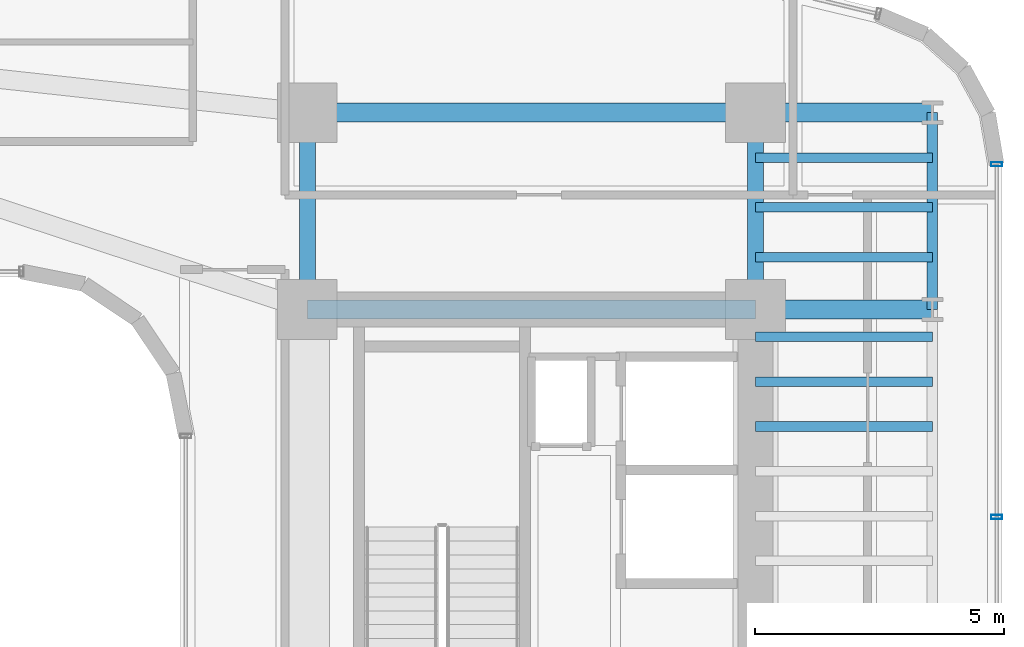
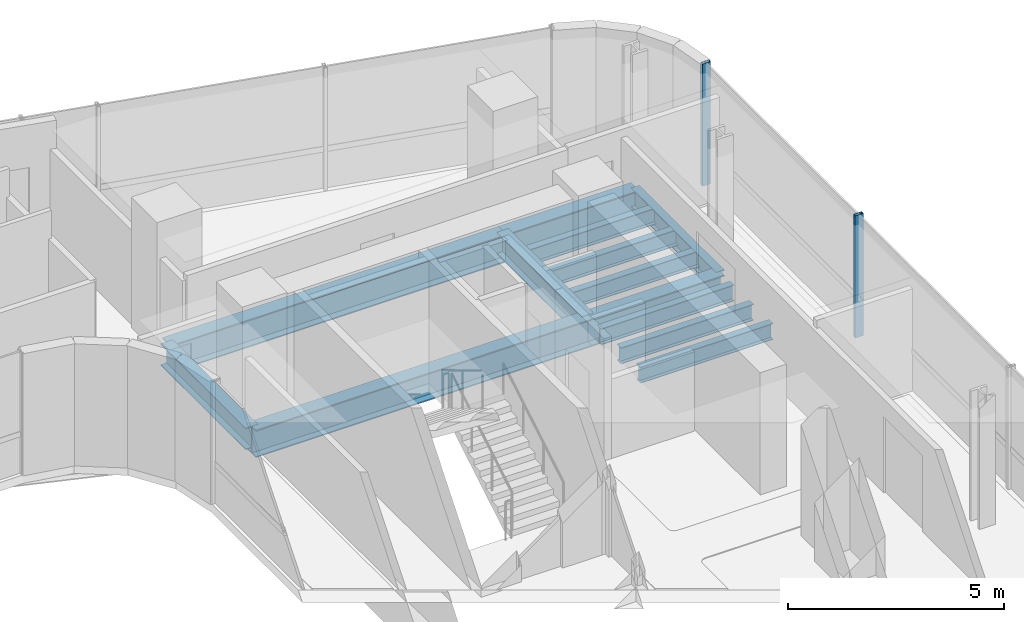
# One storey, part 17 of 36: 13 beams, 2 members, 1 element without a shape of its own.
"""IFC4 building model written with IfcOpenShell, lengths in metres."""

from ifc_helpers import new_model, si_unit, direction, frame, origin, origin_2d, place, context, subcontext, project, spatial, hollow_rectangle, i_section, extrude, source, transform, mapped, material, material_profile, profile_set, type_object, element, aggregate, save


model = new_model("IFC4")

# Units and contexts
model_context = context("Model", 3, precision=1e-05, world=origin(), true_north=direction((0.0, 1.0)))
body_context = subcontext(model_context, "Body", "Model", "MODEL_VIEW")
ifc_project = project(units=[si_unit("LENGTHUNIT", "METRE"), si_unit("AREAUNIT", "SQUARE_METRE"), si_unit("VOLUMEUNIT", "CUBIC_METRE"), si_unit("PLANEANGLEUNIT", "RADIAN"), si_unit("MASSUNIT", "GRAM", prefix="KILO")], contexts=[model_context])

# Site, building, storey
site_placement = place(None, origin())
site = spatial("IfcSite", under=ifc_project, at=site_placement, CompositionType="ELEMENT")
building_placement = place(site_placement, origin())
building = spatial("IfcBuilding", under=site, at=building_placement, Name="Valdorenza Pilgrim Sanctuary Tower", CompositionType="ELEMENT")
storey_placement = place(building_placement, frame((0.0, 0.0, 109.39990234375)))
storey = spatial("IfcBuildingStorey", under=building, at=storey_placement, Name="L27", CompositionType="ELEMENT", Elevation=109.39990234375)

# Beams
ifc_material_1 = material(Name="Steel ASTM A992 Grade 50", Category="steel")
ifc_material_profile_1 = material_profile(ifc_material_1, i_section(OverallWidth=0.323974609375, OverallDepth=0.611083984375, WebThickness=0.0126953125, FlangeThickness=0.01904296875, at=origin_2d()), Name="W24X104")
ifc_profile_set_1 = profile_set([ifc_material_profile_1], Name="Steel ASTM A992 Grade 50")
beam_type_1 = type_object("IfcBeamType", Name="STR-BM-GRD-W24B", PredefinedType="BEAM", material=ifc_profile_set_1)
shared_shape_1 = source(origin(), body_context, "Body", "SweptSolid", [
    extrude(i_section(OverallWidth=0.323974609375, OverallDepth=0.611083984375, WebThickness=0.0126953125, FlangeThickness=0.01904296875, at=origin_2d()), origin(), (0.0, 0.0, 1.0), 3.949951171875),
])
for number, where, z_axis, x_axis, name in (
    (1, (15.85009765625, 9.550048828125, -0.54541015625), (0.0, 1.0, 0.0), (-1.0, 0.0, 0.0), "L27 Core Tie Girder CB-W-N1N2"),
    (2, (24.85009765625, 9.550048828125, -0.54541015625), (0.0, 1.0, 0.0), (-1.0, 0.0, 0.0), "L27 Core Tie Girder CB-E-N1N2"),
):
    element("IfcBeam", number, at=place(storey_placement, frame(where, z_axis=z_axis, x_axis=x_axis)), inside=storey, type_object=beam_type_1, Name=name, PredefinedType="BEAM", context=body_context, shape_type="MappedRepresentation", body=[
        mapped(shared_shape_1, transform((0.0, 0.0, 0.0), x_axis=(1.0, 0.0, 0.0), y_axis=(0.0, 1.0, 0.0), z_axis=(0.0, 0.0, 1.0), scale=1.0)),
    ])
ifc_material_profile_2 = material_profile(ifc_material_1, i_section(OverallWidth=0.214111328125, OverallDepth=0.549072265625, WebThickness=0.0146484375, FlangeThickness=0.023681640625, at=origin_2d()), Name="W21X93")
ifc_profile_set_2 = profile_set([ifc_material_profile_2], Name="Steel ASTM A992 Grade 50")
beam_type_2 = type_object("IfcBeamType", Name="STR-BM-SPN-W21A", PredefinedType="SPANDREL", material=ifc_profile_set_2)
shared_shape_2 = source(origin(), body_context, "Body", "SweptSolid", [
    extrude(i_section(OverallWidth=0.214111328125, OverallDepth=0.549072265625, WebThickness=0.0146484375, FlangeThickness=0.023681640625, at=origin_2d()), origin(), (0.0, 0.0, 1.0), 3.949951171875),
])
beam_placement = place(storey_placement, frame((28.39990234375, 9.550048828125, -0.514404296875), z_axis=(0.0, 1.0, 0.0), x_axis=(-1.0, 0.0, 0.0)))
element("IfcBeam", 3, at=beam_placement, inside=storey, type_object=beam_type_2, Name="L27 Spandrel Beam WB-E-N1N2", PredefinedType="SPANDREL", context=body_context, shape_type="MappedRepresentation", body=[
    mapped(shared_shape_2, transform((0.0, 0.0, 0.0), x_axis=(1.0, 0.0, 0.0), y_axis=(0.0, 1.0, 0.0), z_axis=(0.0, 0.0, 1.0), scale=1.0)),
])
ifc_material_profile_3 = material_profile(ifc_material_1, i_section(OverallWidth=0.382080078125, OverallDepth=0.779052734375, WebThickness=0.01806640625, FlangeThickness=0.030029296875, at=origin_2d()), Name="W30X191")
ifc_profile_set_3 = profile_set([ifc_material_profile_3], Name="Steel ASTM A992 Grade 50")
beam_type_3 = type_object("IfcBeamType", Name="STR-BM-GRD-W30", PredefinedType="BEAM", material=ifc_profile_set_3)
shared_shape_3 = source(origin(), body_context, "Body", "SweptSolid", [
    extrude(i_section(OverallWidth=0.382080078125, OverallDepth=0.779052734375, WebThickness=0.01806640625, FlangeThickness=0.030029296875, at=origin_2d()), origin(), (0.0, 0.0, 1.0), 9.0),
])
for number, where, z_axis, x_axis, name in (
    (4, (15.85009765625, 9.550048828125, -0.62939453125), (1.0, 0.0, 0.0), (0.0, 1.0, 0.0), "L27 Floor Girder CB-XC-N1"),
    (5, (15.85009765625, 13.5, -0.62939453125), (1.0, 0.0, 0.0), (0.0, 1.0, 0.0), "L27 Floor Girder CB-XC-N2"),
):
    element("IfcBeam", number, at=place(storey_placement, frame(where, z_axis=z_axis, x_axis=x_axis)), inside=storey, type_object=beam_type_3, Name=name, PredefinedType="BEAM", context=body_context, shape_type="MappedRepresentation", body=[
        mapped(shared_shape_3, transform((0.0, 0.0, 0.0), x_axis=(1.0, 0.0, 0.0), y_axis=(0.0, 1.0, 0.0), z_axis=(0.0, 0.0, 1.0), scale=1.0)),
    ])
shared_shape_4 = source(origin(), body_context, "Body", "SweptSolid", [
    extrude(i_section(OverallWidth=0.382080078125, OverallDepth=0.779052734375, WebThickness=0.01806640625, FlangeThickness=0.030029296875, at=origin_2d()), origin(), (0.0, 0.0, 1.0), 3.5498046875),
])
for number, where, z_axis, x_axis, name in (
    (6, (24.85009765625, 9.550048828125, -0.62939453125), (1.0, 0.0, 0.0), (0.0, 1.0, 0.0), "L27 Floor Girder WB-XE-N1"),
    (7, (24.85009765625, 13.5, -0.62939453125), (1.0, 0.0, 0.0), (0.0, 1.0, 0.0), "L27 Floor Girder WB-XE-N2"),
):
    element("IfcBeam", number, at=place(storey_placement, frame(where, z_axis=z_axis, x_axis=x_axis)), inside=storey, type_object=beam_type_3, Name=name, PredefinedType="BEAM", context=body_context, shape_type="MappedRepresentation", body=[
        mapped(shared_shape_4, transform((0.0, 0.0, 0.0), x_axis=(1.0, 0.0, 0.0), y_axis=(0.0, 1.0, 0.0), z_axis=(0.0, 0.0, 1.0), scale=1.0)),
    ])
ifc_material_profile_4 = material_profile(ifc_material_1, i_section(OverallWidth=0.19091796875, OverallDepth=0.45703125, WebThickness=0.009033203125, FlangeThickness=0.014404296875, at=origin_2d()), Name="W18X50")
ifc_profile_set_4 = profile_set([ifc_material_profile_4], Name="Steel ASTM A992 Grade 50")
beam_type_4 = type_object("IfcBeamType", Name="STR-BM-JST-W18B", PredefinedType="JOIST", material=ifc_profile_set_4)
shared_shape_5 = source(origin(), body_context, "Body", "SweptSolid", [
    extrude(i_section(OverallWidth=0.19091796875, OverallDepth=0.45703125, WebThickness=0.009033203125, FlangeThickness=0.014404296875, at=origin_2d()), origin(), (0.0, 0.0, 1.0), 3.5498046875),
])
for number, where, z_axis, x_axis, name in (
    (8, (24.85009765625, 7.199951171875, -0.468505859375), (1.0, 0.0, 0.0), (0.0, 1.0, 0.0), "L27 Composite Floor Joist JST-WB-16"),
    (9, (24.85009765625, 8.10009765625, -0.468505859375), (1.0, 0.0, 0.0), (0.0, 1.0, 0.0), "L27 Composite Floor Joist JST-WB-17"),
    (10, (24.85009765625, 9.0, -0.468505859375), (1.0, 0.0, 0.0), (0.0, 1.0, 0.0), "L27 Composite Floor Joist JST-WB-18"),
    (11, (24.85009765625, 10.60009765625, -0.468505859375), (1.0, 0.0, 0.0), (0.0, 1.0, 0.0), "L27 Composite Floor Joist JST-WB-19"),
    (12, (24.85009765625, 11.60009765625, -0.468505859375), (1.0, 0.0, 0.0), (0.0, 1.0, 0.0), "L27 Composite Floor Joist JST-WB-20"),
    (13, (24.85009765625, 12.60009765625, -0.468505859375), (1.0, 0.0, 0.0), (0.0, 1.0, 0.0), "L27 Composite Floor Joist JST-WB-21"),
):
    element("IfcBeam", number, at=place(storey_placement, frame(where, z_axis=z_axis, x_axis=x_axis)), inside=storey, type_object=beam_type_4, Name=name, PredefinedType="JOIST", context=body_context, shape_type="MappedRepresentation", body=[
        mapped(shared_shape_5, transform((0.0, 0.0, 0.0), x_axis=(1.0, 0.0, 0.0), y_axis=(0.0, 1.0, 0.0), z_axis=(0.0, 0.0, 1.0), scale=1.0)),
    ])

# Curtain wall, members
ifc_material_2 = material(Name="Curtain-wall IGU glazing", Category="glass")
curtain_wall_type = type_object("IfcCurtainWallType", Name="CW-SYS-03", PredefinedType="NOTDEFINED", material=ifc_material_2)
curtain_wall_placement = place(storey_placement, origin())
curtain_wall = element("IfcCurtainWall", 14, at=curtain_wall_placement, inside=storey, type_object=curtain_wall_type, Name="L27 Curtain Wall CW-L27-1-21", PredefinedType="NOTDEFINED")
ifc_material_3 = material(Name="Anodised aluminium AW-6060", Category="aluminium")
ifc_material_profile_5 = material_profile(ifc_material_3, hollow_rectangle(XDim=0.0849609375, YDim=0.219970703125, WallThickness=0.0048828125, at=origin_2d()), Name="ALU-M 220x85x5")
ifc_profile_set_5 = profile_set([ifc_material_profile_5], Name="Anodised aluminium AW-6060")
member_type = type_object("IfcMemberType", Name="CW-MUL-03", PredefinedType="MULLION", material=ifc_profile_set_5)
shared_shape_6 = source(origin(), body_context, "Body", "SweptSolid", [
    extrude(hollow_rectangle(XDim=0.0849609375, YDim=0.219970703125, WallThickness=0.0048828125, at=origin_2d()), origin(), (0.0, 0.0, 1.0), 3.460205078125),
])
member_1_placement = place(storey_placement, frame((29.68994140625, 12.46630859375, 0.0), z_axis=(0.0, 0.0, 1.0), x_axis=(0.0, -1.0, 0.0)))
member_1 = element("IfcMember", 15, at=member_1_placement, type_object=member_type, Name="CW-L27-1-21 Mullion 1", PredefinedType="MULLION", context=body_context, shape_type="MappedRepresentation", body=[
    mapped(shared_shape_6, transform((0.0, 0.0, 0.0), x_axis=(1.0, 0.0, 0.0), y_axis=(0.0, 1.0, 0.0), z_axis=(0.0, 0.0, 1.0), scale=1.0)),
])
member_2_placement = place(storey_placement, frame((29.68994140625, 5.381103515625, 0.0), z_axis=(0.0, 0.0, 1.0), x_axis=(0.0, -1.0, 0.0)))
member_2 = element("IfcMember", 16, at=member_2_placement, type_object=member_type, Name="CW-L27-1-21 Mullion 2", PredefinedType="MULLION", context=body_context, shape_type="MappedRepresentation", body=[
    mapped(shared_shape_6, transform((0.0, 0.0, 0.0), x_axis=(1.0, 0.0, 0.0), y_axis=(0.0, 1.0, 0.0), z_axis=(0.0, 0.0, 1.0), scale=1.0)),
])
aggregate(curtain_wall, [member_1, member_2])

save(model, "model.ifc")
